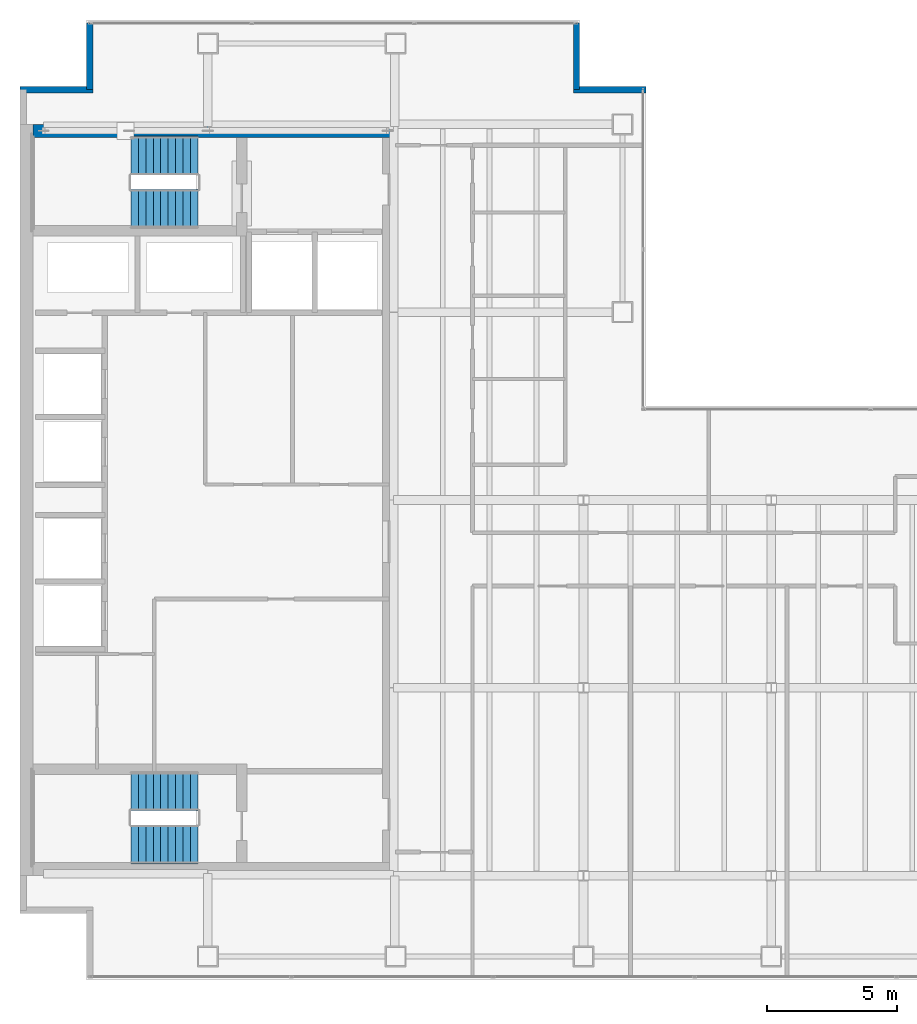
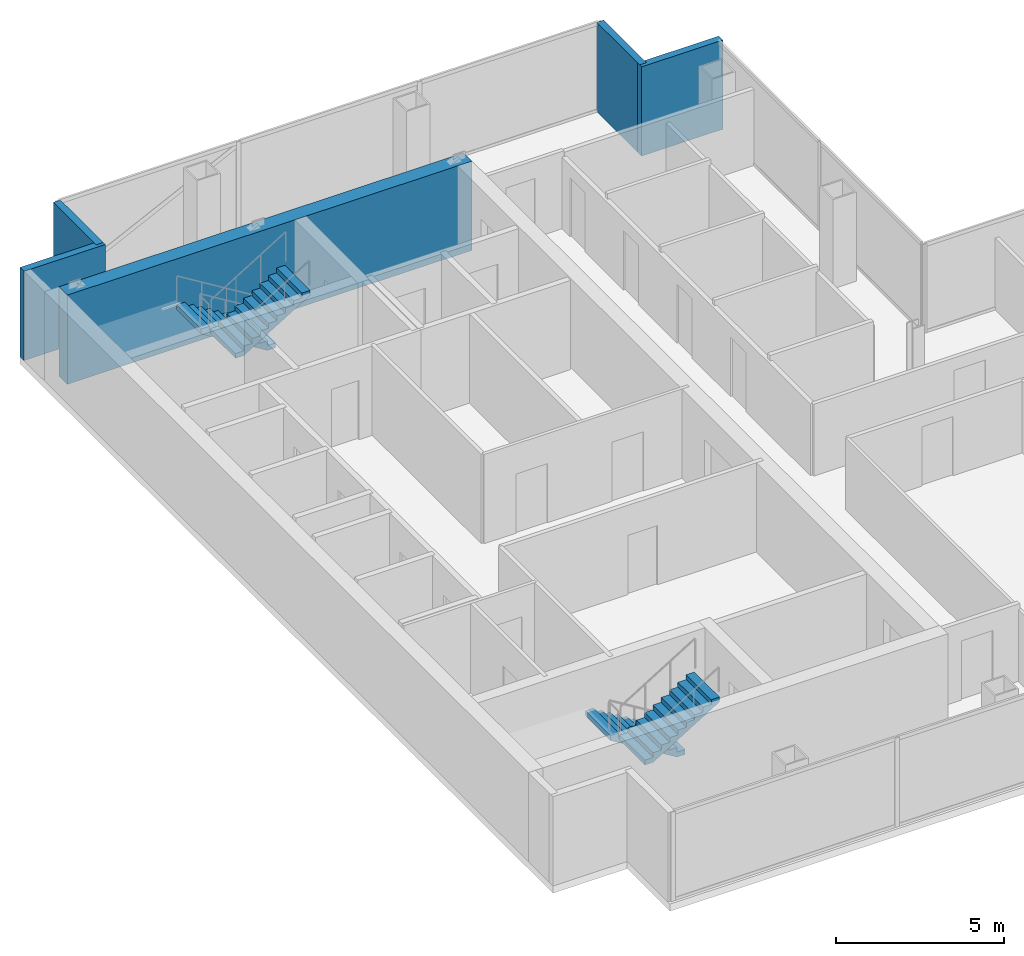
# One storey, part 22 of 23: 5 walls, 4 stair flights, 2 elements without a shape of their own.
"""IFC4 building model written with IfcOpenShell, lengths in metres."""

from ifc_helpers import new_model, si_unit, direction, frame, frame_2d, origin, place, context, subcontext, project, spatial, polyline, rectangle, outline, extrude, material, layer, layer_set, type_object, element, aggregate, save


model = new_model("IFC4")

# Units and contexts
model_context = context("Model", 3, precision=1e-05, world=origin(), true_north=direction((0.0, 1.0)))
body_context = subcontext(model_context, "Body", "Model", "MODEL_VIEW")
ifc_project = project(units=[si_unit("LENGTHUNIT", "METRE"), si_unit("AREAUNIT", "SQUARE_METRE"), si_unit("VOLUMEUNIT", "CUBIC_METRE"), si_unit("PLANEANGLEUNIT", "RADIAN"), si_unit("MASSUNIT", "GRAM", prefix="KILO")], contexts=[model_context])

# Site, building, storey
site_placement = place(None, origin())
site = spatial("IfcSite", under=ifc_project, at=site_placement, CompositionType="ELEMENT")
building_placement = place(site_placement, origin())
building = spatial("IfcBuilding", under=site, at=building_placement, Name="Cobrela Telecom Tower", CompositionType="ELEMENT")
storey_placement = place(building_placement, frame((0.0, 0.0, 194.25)))
storey = spatial("IfcBuildingStorey", under=building, at=storey_placement, Name="L49", CompositionType="ELEMENT", Elevation=194.25)

# Walls
ifc_material = material(Name="Concrete C40/50", Category="concrete")
ifc_layer_1 = layer(ifc_material, 0.5)
ifc_layer_set_1 = layer_set([ifc_layer_1], Name="Concrete C40/50")
wall_type_1 = type_object("IfcWallType", Name="WALL-CORE-C40-500", PredefinedType="SHEAR", material=ifc_layer_set_1)
wall_1_placement = place(storey_placement, frame((0.5, 35.75, 0.0), z_axis=(0.0, 0.0, 1.0), x_axis=(1.0, 0.0, 0.0)))
element("IfcWall", 1, at=wall_1_placement, inside=storey, type_object=wall_type_1, Name="L49 North Core Shear Wall", PredefinedType="SHEAR", context=body_context, shape_type="SweptSolid", body=[
    extrude(rectangle(XDim=13.89990234375, YDim=0.5, at=frame_2d((6.949951171875, 0.0))), origin(), (0.0, 0.0, 1.0), 3.239990234375),
])
ifc_layer_2 = layer(ifc_material, 0.239990234375)
ifc_layer_set_2 = layer_set([ifc_layer_2], Name="Concrete C40/50")
wall_type_2 = type_object("IfcWallType", Name="WALL-EXT-300", PredefinedType="STANDARD", material=ifc_layer_set_2)
wall_2_placement = place(storey_placement, frame((0.0, 37.330078125, 0.0), z_axis=(0.0, 0.0, 1.0), x_axis=(1.0, 0.0, 0.0)))
element("IfcWall", 2, at=wall_2_placement, inside=storey, type_object=wall_type_2, Name="L49 Insulated Facade Wall 05", PredefinedType="STANDARD", context=body_context, shape_type="SweptSolid", body=[
    extrude(rectangle(XDim=2.7900390625, YDim=0.239990234375, at=frame_2d((1.39501953125, 0.0))), origin(), (0.0, 0.0, 1.0), 3.239990234375),
])
for number, where, z_axis, x_axis, name in (
    (3, (2.669921875, 37.330078125, 0.0), (0.0, 0.0, 1.0), (0.0, 1.0, 0.0), "L49 Insulated Facade Wall 06"),
    (4, (21.330078125, 39.8798828125, 0.0), (0.0, 0.0, 1.0), (0.0, -1.0, 0.0), "L49 Insulated Facade Wall 08"),
):
    element("IfcWall", number, at=place(storey_placement, frame(where, z_axis=z_axis, x_axis=x_axis)), inside=storey, type_object=wall_type_2, Name=name, PredefinedType="STANDARD", context=body_context, shape_type="SweptSolid", body=[
        extrude(rectangle(XDim=2.5498046875, YDim=0.239990234375, at=frame_2d((1.27490234375, 0.0))), origin(), (0.0, 0.0, 1.0), 3.239990234375),
    ])
wall_3_placement = place(storey_placement, frame((21.2099609375, 37.330078125, 0.0), z_axis=(0.0, 0.0, 1.0), x_axis=(1.0, 0.0, 0.0)))
element("IfcWall", 5, at=wall_3_placement, inside=storey, type_object=wall_type_2, Name="L49 Insulated Facade Wall 09", PredefinedType="STANDARD", context=body_context, shape_type="SweptSolid", body=[
    extrude(rectangle(XDim=2.7900390625, YDim=0.239990234375, at=frame_2d((1.39501953125, 0.0))), origin(), (0.0, 0.0, 1.0), 3.239990234375),
])

# Stair, stair flights
stair_type = type_object("IfcStairType", Name="STAIR-CORE", PredefinedType="HALF_TURN_STAIR", material=ifc_material)
stair_1_placement = place(storey_placement, origin())
stair_1 = element("IfcStair", 6, at=stair_1_placement, inside=storey, type_object=stair_type, Name="L49 Smokeproof Exit Stair ST1", PredefinedType="HALF_TURN_STAIR")
stair_flight_type = type_object("IfcStairFlightType", Name="FLIGHT-CORE", PredefinedType="STRAIGHT", material=ifc_material)
stair_flight_1_placement = place(storey_placement, frame((6.820068359375, 34.800048828125, 0.0), z_axis=(0.0, 0.0, 1.0), x_axis=(-1.0, 0.0, 0.0)))
stair_flight_1 = element("IfcStairFlight", 7, at=stair_flight_1_placement, type_object=stair_flight_type, Name="ST1 flight 1", NumberOfRisers=10, NumberOfTreads=9, PredefinedType="STRAIGHT", RiserHeight=0.175, TreadLength=0.285, context=body_context, shape_type="SweptSolid", body=[
    extrude(outline(polyline([(0.0, 0.0), (0.0, 0.175048828125), (0.284912109375, 0.175048828125), (0.284912109375, 0.35009765625), (0.570068359375, 0.35009765625), (0.570068359375, 0.52490234375), (0.85498046875, 0.52490234375), (0.85498046875, 0.699951171875), (1.139892578125, 0.699951171875), (1.139892578125, 0.875), (1.425048828125, 0.875), (1.425048828125, 1.050048828125), (1.7099609375, 1.050048828125), (1.7099609375, 1.22509765625), (1.9951171875, 1.22509765625), (1.9951171875, 1.39990234375), (2.280029296875, 1.39990234375), (2.280029296875, 1.574951171875), (2.56494140625, 1.574951171875), (2.56494140625, 1.75), (2.56494140625, 1.399169921875), (0.286376953125, 0.0), (0.0, 0.0)])), frame((0.0, 0.75, 0.0), z_axis=(0.0, -1.0, 0.0), x_axis=(1.0, 0.0, 0.0)), (0.0, 0.0, 1.0), 1.5),
])
stair_flight_2_placement = place(storey_placement, frame((4.2548828125, 32.75, 1.75), z_axis=(0.0, 0.0, 1.0), x_axis=(1.0, 0.0, 0.0)))
stair_flight_2 = element("IfcStairFlight", 8, at=stair_flight_2_placement, type_object=stair_flight_type, Name="ST1 flight 2", NumberOfRisers=10, NumberOfTreads=9, PredefinedType="STRAIGHT", RiserHeight=0.175, TreadLength=0.285, context=body_context, shape_type="SweptSolid", body=[
    extrude(outline(polyline([(0.0, 0.0), (0.0, 0.175048828125), (0.284912109375, 0.175048828125), (0.284912109375, 0.35009765625), (0.570068359375, 0.35009765625), (0.570068359375, 0.52490234375), (0.85498046875, 0.52490234375), (0.85498046875, 0.699951171875), (1.139892578125, 0.699951171875), (1.139892578125, 0.875), (1.425048828125, 0.875), (1.425048828125, 1.050048828125), (1.7099609375, 1.050048828125), (1.7099609375, 1.22509765625), (1.9951171875, 1.22509765625), (1.9951171875, 1.39990234375), (2.280029296875, 1.39990234375), (2.280029296875, 1.574951171875), (2.56494140625, 1.574951171875), (2.56494140625, 1.75), (2.56494140625, 1.399169921875), (0.286376953125, 0.0), (0.0, 0.0)])), frame((0.0, 0.75, 0.0), z_axis=(0.0, -1.0, 0.0), x_axis=(1.0, 0.0, 0.0)), (0.0, 0.0, 1.0), 1.5),
])
aggregate(stair_1, [stair_flight_1, stair_flight_2])

stair_2_placement = place(storey_placement, origin())
stair_2 = element("IfcStair", 9, at=stair_2_placement, inside=storey, type_object=stair_type, Name="L49 Smokeproof Exit Stair ST2", PredefinedType="HALF_TURN_STAIR")
stair_flight_3_placement = place(storey_placement, frame((6.820068359375, 10.449951171875, 0.0), z_axis=(0.0, 0.0, 1.0), x_axis=(-1.0, 0.0, 0.0)))
stair_flight_3 = element("IfcStairFlight", 10, at=stair_flight_3_placement, type_object=stair_flight_type, Name="ST2 flight 1", NumberOfRisers=10, NumberOfTreads=9, PredefinedType="STRAIGHT", RiserHeight=0.175, TreadLength=0.285, context=body_context, shape_type="SweptSolid", body=[
    extrude(outline(polyline([(0.0, 0.0), (0.0, 0.175048828125), (0.284912109375, 0.175048828125), (0.284912109375, 0.35009765625), (0.570068359375, 0.35009765625), (0.570068359375, 0.52490234375), (0.85498046875, 0.52490234375), (0.85498046875, 0.699951171875), (1.139892578125, 0.699951171875), (1.139892578125, 0.875), (1.425048828125, 0.875), (1.425048828125, 1.050048828125), (1.7099609375, 1.050048828125), (1.7099609375, 1.22509765625), (1.9951171875, 1.22509765625), (1.9951171875, 1.39990234375), (2.280029296875, 1.39990234375), (2.280029296875, 1.574951171875), (2.56494140625, 1.574951171875), (2.56494140625, 1.75), (2.56494140625, 1.399169921875), (0.286376953125, 0.0), (0.0, 0.0)])), frame((0.0, 0.75, 0.0), z_axis=(0.0, -1.0, 0.0), x_axis=(1.0, 0.0, 0.0)), (0.0, 0.0, 1.0), 1.5),
])
stair_flight_4_placement = place(storey_placement, frame((4.2548828125, 8.39990234375, 1.75), z_axis=(0.0, 0.0, 1.0), x_axis=(1.0, 0.0, 0.0)))
stair_flight_4 = element("IfcStairFlight", 11, at=stair_flight_4_placement, type_object=stair_flight_type, Name="ST2 flight 2", NumberOfRisers=10, NumberOfTreads=9, PredefinedType="STRAIGHT", RiserHeight=0.175, TreadLength=0.285, context=body_context, shape_type="SweptSolid", body=[
    extrude(outline(polyline([(0.0, 0.0), (0.0, 0.175048828125), (0.284912109375, 0.175048828125), (0.284912109375, 0.35009765625), (0.570068359375, 0.35009765625), (0.570068359375, 0.52490234375), (0.85498046875, 0.52490234375), (0.85498046875, 0.699951171875), (1.139892578125, 0.699951171875), (1.139892578125, 0.875), (1.425048828125, 0.875), (1.425048828125, 1.050048828125), (1.7099609375, 1.050048828125), (1.7099609375, 1.22509765625), (1.9951171875, 1.22509765625), (1.9951171875, 1.39990234375), (2.280029296875, 1.39990234375), (2.280029296875, 1.574951171875), (2.56494140625, 1.574951171875), (2.56494140625, 1.75), (2.56494140625, 1.399169921875), (0.286376953125, 0.0), (0.0, 0.0)])), frame((0.0, 0.75, 0.0), z_axis=(0.0, -1.0, 0.0), x_axis=(1.0, 0.0, 0.0)), (0.0, 0.0, 1.0), 1.5),
])
aggregate(stair_2, [stair_flight_3, stair_flight_4])

save(model, "model.ifc")
